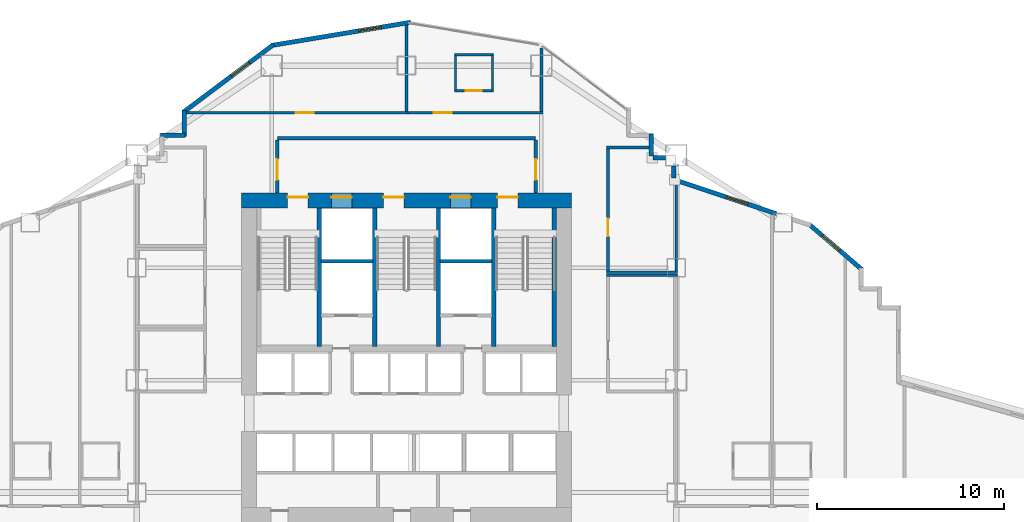
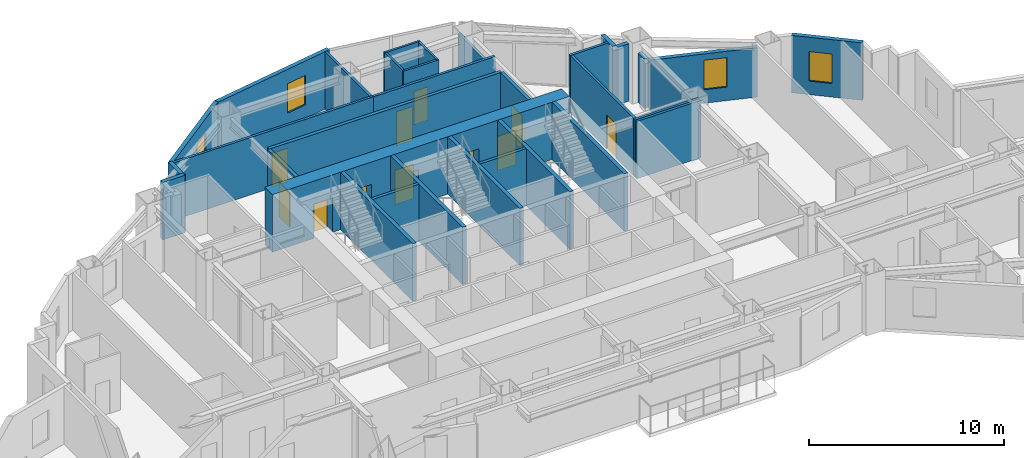
# One storey, part 11 of 15: 33 walls, 11 doors, 4 windows, 15 openings.
"""IFC4 building model written with IfcOpenShell, lengths in metres."""

from ifc_helpers import new_model, si_unit, direction, frame, frame_2d, origin, place, context, subcontext, project, spatial, rectangle, extrude, material, layer, layer_set, type_object, element, fill, save


model = new_model("IFC4")

# Units and contexts
model_context = context("Model", 3, precision=1e-05, world=origin(), true_north=direction((0.0, 1.0)))
body_context = subcontext(model_context, "Body", "Model", "MODEL_VIEW")
ifc_project = project(units=[si_unit("LENGTHUNIT", "METRE"), si_unit("AREAUNIT", "SQUARE_METRE"), si_unit("VOLUMEUNIT", "CUBIC_METRE"), si_unit("PLANEANGLEUNIT", "RADIAN"), si_unit("MASSUNIT", "GRAM", prefix="KILO")], contexts=[model_context])

# Site, building, storey
site_placement = place(None, origin())
site = spatial("IfcSite", under=ifc_project, at=site_placement, CompositionType="ELEMENT")
building_placement = place(site_placement, origin())
building = spatial("IfcBuilding", under=site, at=building_placement, Name="Haolan Belvedere Tower", CompositionType="ELEMENT")
storey_placement = place(building_placement, frame((0.0, 0.0, 70.39990234375)))
storey = spatial("IfcBuildingStorey", under=building, at=storey_placement, Name="L17", CompositionType="ELEMENT", Elevation=70.39990234375)

# Wall, openings, doors
ifc_material_1 = material(Name="Concrete C70/85", Category="concrete")
ifc_layer_1 = layer(ifc_material_1, 0.800048828125, Name="Concrete C70/85")
ifc_layer_set_1 = layer_set([ifc_layer_1], Name="Concrete C70/85")
wall_type_1 = type_object("IfcWallType", Name="WL-CORE-800", PredefinedType="SHEAR", material=ifc_layer_set_1)
wall_1_placement = place(storey_placement, frame((29.60009765625, 43.199951171875, 0.0), z_axis=(0.0, 0.0, 1.0), x_axis=(1.0, 0.0, 0.0)))
wall_1 = element("IfcWall", 1, at=wall_1_placement, inside=storey, type_object=wall_type_1, Name="L17 central core north shear wall", PredefinedType="SHEAR", context=body_context, shape_type="SweptSolid", body=[
    extrude(rectangle(XDim=17.599853515625, YDim=0.800048828125, at=frame_2d((8.7998046875, 0.0))), origin(), (0.0, 0.0, 1.0), 3.60009765625),
])
opening_1_placement = place(wall_1_placement, frame((2.449951171875, 0.0, 0.0)))
opening_1 = element("IfcOpeningElement", 2, at=opening_1_placement, cuts=wall_1, Name="Opening FD-03", PredefinedType="OPENING", context=body_context, shape_type="SweptSolid", body=[
    extrude(rectangle(XDim=1.10009765625, YDim=2.14990234375, at=frame_2d((0.550048828125, 1.074951171875))), frame((0.0, 0.409912109375, 0.0), z_axis=(0.0, -1.0, 0.0), x_axis=(1.0, 0.0, 0.0)), (0.0, 0.0, 1.0), 0.820068359375),
])
opening_2_placement = place(wall_1_placement, frame((7.56005859375, 0.0, 0.0)))
opening_2 = element("IfcOpeningElement", 3, at=opening_2_placement, cuts=wall_1, Name="Opening FD-03", PredefinedType="OPENING", context=body_context, shape_type="SweptSolid", body=[
    extrude(rectangle(XDim=1.10009765625, YDim=2.14990234375, at=frame_2d((0.550048828125, 1.074951171875))), frame((0.0, 0.409912109375, 0.0), z_axis=(0.0, -1.0, 0.0), x_axis=(1.0, 0.0, 0.0)), (0.0, 0.0, 1.0), 0.820068359375),
])
opening_3_placement = place(wall_1_placement, frame((13.64990234375, 0.0, 0.0)))
opening_3 = element("IfcOpeningElement", 4, at=opening_3_placement, cuts=wall_1, Name="Opening FD-03", PredefinedType="OPENING", context=body_context, shape_type="SweptSolid", body=[
    extrude(rectangle(XDim=1.10009765625, YDim=2.14990234375, at=frame_2d((0.550048828125, 1.074951171875))), frame((0.0, 0.409912109375, 0.0), z_axis=(0.0, -1.0, 0.0), x_axis=(1.0, 0.0, 0.0)), (0.0, 0.0, 1.0), 0.820068359375),
])
opening_4_placement = place(wall_1_placement, frame((4.780029296875, 0.0, 0.0)))
opening_4 = element("IfcOpeningElement", 5, at=opening_4_placement, cuts=wall_1, Name="Opening LD-01", PredefinedType="OPENING", context=body_context, shape_type="SweptSolid", body=[
    extrude(rectangle(XDim=1.10009765625, YDim=2.199951171875, at=frame_2d((0.550048828125, 1.10009765625))), frame((0.0, 0.409912109375, 0.0), z_axis=(0.0, -1.0, 0.0), x_axis=(1.0, 0.0, 0.0)), (0.0, 0.0, 1.0), 0.820068359375),
])
opening_5_placement = place(wall_1_placement, frame((11.139892578125, 0.0, 0.0)))
opening_5 = element("IfcOpeningElement", 6, at=opening_5_placement, cuts=wall_1, Name="Opening LD-01", PredefinedType="OPENING", context=body_context, shape_type="SweptSolid", body=[
    extrude(rectangle(XDim=1.10009765625, YDim=2.199951171875, at=frame_2d((0.550048828125, 1.10009765625))), frame((0.0, 0.409912109375, 0.0), z_axis=(0.0, -1.0, 0.0), x_axis=(1.0, 0.0, 0.0)), (0.0, 0.0, 1.0), 0.820068359375),
])
ifc_material_2 = material(Name="Galvanised fire-rated steel", Category="steel")
door_type_1 = type_object("IfcDoorType", Name="DR-FD90-1100", OperationType="NOTDEFINED", PredefinedType="DOOR", material=ifc_material_2)
door_1_placement = place(opening_1_placement, origin())
door_1 = element("IfcDoor", 7, at=door_1_placement, inside=storey, type_object=door_type_1, Name="L17 door CD-L17-ST1", OperationType="SINGLE_SWING_LEFT", OverallHeight=2.14990234375, OverallWidth=1.10009765625, PredefinedType="DOOR", context=body_context, shape_type="SweptSolid", body=[
    extrude(rectangle(XDim=1.10009765625, YDim=2.14990234375, at=frame_2d((0.550048828125, 1.074951171875))), frame((0.0, 0.18505859375, 0.0), z_axis=(0.0, -1.0, 0.0), x_axis=(1.0, 0.0, 0.0)), (0.0, 0.0, 1.0), 0.050048828125),
])
fill(opening_1, door_1)
door_2_placement = place(opening_2_placement, origin())
door_2 = element("IfcDoor", 8, at=door_2_placement, inside=storey, type_object=door_type_1, Name="L17 door CD-L17-ST3", OperationType="SINGLE_SWING_LEFT", OverallHeight=2.14990234375, OverallWidth=1.10009765625, PredefinedType="DOOR", context=body_context, shape_type="SweptSolid", body=[
    extrude(rectangle(XDim=1.10009765625, YDim=2.14990234375, at=frame_2d((0.550048828125, 1.074951171875))), frame((0.0, 0.18505859375, 0.0), z_axis=(0.0, -1.0, 0.0), x_axis=(1.0, 0.0, 0.0)), (0.0, 0.0, 1.0), 0.050048828125),
])
fill(opening_2, door_2)
door_3_placement = place(opening_3_placement, origin())
door_3 = element("IfcDoor", 9, at=door_3_placement, inside=storey, type_object=door_type_1, Name="L17 door CD-L17-ST2", OperationType="SINGLE_SWING_RIGHT", OverallHeight=2.14990234375, OverallWidth=1.10009765625, PredefinedType="DOOR", context=body_context, shape_type="SweptSolid", body=[
    extrude(rectangle(XDim=1.10009765625, YDim=2.14990234375, at=frame_2d((0.550048828125, 1.074951171875))), frame((0.0, 0.18505859375, 0.0), z_axis=(0.0, -1.0, 0.0), x_axis=(1.0, 0.0, 0.0)), (0.0, 0.0, 1.0), 0.050048828125),
])
fill(opening_3, door_3)
ifc_material_3 = material(Name="Brushed champagne stainless steel 316L", Category="steel")
door_type_2 = type_object("IfcDoorType", Name="DR-LIFT-1100", OperationType="SLIDING_TO_LEFT", PredefinedType="DOOR", material=ifc_material_3)
door_4_placement = place(opening_4_placement, origin())
door_4 = element("IfcDoor", 10, at=door_4_placement, inside=storey, type_object=door_type_2, Name="L17 door LD-L17-FF1", OperationType="SLIDING_TO_LEFT", OverallHeight=2.199951171875, OverallWidth=1.10009765625, PredefinedType="DOOR", context=body_context, shape_type="SweptSolid", body=[
    extrude(rectangle(XDim=1.10009765625, YDim=2.199951171875, at=frame_2d((0.550048828125, 1.10009765625))), frame((0.0, 0.18505859375, 0.0), z_axis=(0.0, -1.0, 0.0), x_axis=(1.0, 0.0, 0.0)), (0.0, 0.0, 1.0), 0.050048828125),
])
fill(opening_4, door_4)
door_5_placement = place(opening_5_placement, origin())
door_5 = element("IfcDoor", 11, at=door_5_placement, inside=storey, type_object=door_type_2, Name="L17 door LD-L17-FF2", OperationType="SLIDING_TO_LEFT", OverallHeight=2.199951171875, OverallWidth=1.10009765625, PredefinedType="DOOR", context=body_context, shape_type="SweptSolid", body=[
    extrude(rectangle(XDim=1.10009765625, YDim=2.199951171875, at=frame_2d((0.550048828125, 1.10009765625))), frame((0.0, 0.18505859375, 0.0), z_axis=(0.0, -1.0, 0.0), x_axis=(1.0, 0.0, 0.0)), (0.0, 0.0, 1.0), 0.050048828125),
])
fill(opening_5, door_5)

# Wall, opening, window
ifc_material_4 = material(Name="Precast concrete C40/50", Category="concrete")
ifc_layer_2 = layer(ifc_material_4, 0.239990234375, Name="Precast concrete C40/50")
ifc_layer_set_2 = layer_set([ifc_layer_2], Name="Precast concrete C40/50")
wall_type_2 = type_object("IfcWallType", Name="WL-EXT-240", PredefinedType="SOLIDWALL", material=ifc_layer_set_2)
wall_2_placement = place(storey_placement, frame((62.7216796875, 39.509033203125, 0.0), z_axis=(0.0, 0.0, 1.0), x_axis=(-0.759247334792, 0.650802185469, 0.0)))
wall_2 = element("IfcWall", 12, at=wall_2_placement, inside=storey, type_object=wall_type_2, Name="L17 pale-metal exterior spandrel wall 34.1", PredefinedType="SOLIDWALL", context=body_context, shape_type="SweptSolid", body=[
    extrude(rectangle(XDim=3.71923828125, YDim=0.239990234375, at=frame_2d((1.859619140625, 0.0))), origin(), (0.0, 0.0, 1.0), 3.60009765625),
])
opening_6_placement = place(wall_2_placement, frame((1.60009765625, 0.0, 0.85009765625)))
opening_6 = element("IfcOpeningElement", 13, at=opening_6_placement, cuts=wall_2, Name="Opening W-01", PredefinedType="OPENING", context=body_context, shape_type="SweptSolid", body=[
    extrude(rectangle(XDim=1.199951171875, YDim=1.85009765625, at=frame_2d((0.60009765625, 0.925048828125))), frame((0.0, 0.1298828125, 0.0), z_axis=(0.0, -1.0, 0.0), x_axis=(1.0, 0.0, 0.0)), (0.0, 0.0, 1.0), 0.260009765625),
])
ifc_material_5 = material(Name="Anodised aluminium 6063-T6 and Low-E glass", Category="aluminium")
window_type = type_object("IfcWindowType", Name="WN-DECO-Z1", PartitioningType="SINGLE_PANEL", PredefinedType="WINDOW", material=ifc_material_5)
window_1_placement = place(opening_6_placement, origin())
window_1 = element("IfcWindow", 14, at=window_1_placement, inside=storey, type_object=window_type, Name="L17 Art Deco chevron window 1", OverallHeight=1.85009765625, OverallWidth=1.199951171875, PartitioningType="SINGLE_PANEL", PredefinedType="WINDOW", context=body_context, shape_type="SweptSolid", body=[
    extrude(rectangle(XDim=1.199951171875, YDim=1.85009765625, at=frame_2d((0.60009765625, 0.925048828125))), frame((0.0, 0.030029296875, 0.0), z_axis=(0.0, -1.0, 0.0), x_axis=(1.0, 0.0, 0.0)), (0.0, 0.0, 1.0), 0.06005859375),
])
fill(opening_6, window_1)

wall_3_placement = place(storey_placement, frame((58.14453125, 42.491943359375, 0.0), z_axis=(0.0, 0.0, 1.0), x_axis=(-0.948683298051, 0.316227766017, 0.0)))
wall_3 = element("IfcWall", 15, at=wall_3_placement, inside=storey, type_object=wall_type_2, Name="L17 pale-metal exterior spandrel wall 35.2", PredefinedType="SOLIDWALL", context=body_context, shape_type="SweptSolid", body=[
    extrude(rectangle(XDim=5.67529296875, YDim=0.239990234375, at=frame_2d((2.837646484375, 0.0))), origin(), (0.0, 0.0, 1.0), 3.09716796875),
])
opening_7_placement = place(wall_3_placement, frame((1.60009765625, 0.0, 0.85009765625)))
opening_7 = element("IfcOpeningElement", 16, at=opening_7_placement, cuts=wall_3, Name="Opening W-01", PredefinedType="OPENING", context=body_context, shape_type="SweptSolid", body=[
    extrude(rectangle(XDim=1.199951171875, YDim=1.85009765625, at=frame_2d((0.60009765625, 0.925048828125))), frame((0.0, 0.1298828125, 0.0), z_axis=(0.0, -1.0, 0.0), x_axis=(1.0, 0.0, 0.0)), (0.0, 0.0, 1.0), 0.260009765625),
])
window_2_placement = place(opening_7_placement, origin())
window_2 = element("IfcWindow", 17, at=window_2_placement, inside=storey, type_object=window_type, Name="L17 Art Deco chevron window 1", OverallHeight=1.85009765625, OverallWidth=1.199951171875, PartitioningType="SINGLE_PANEL", PredefinedType="WINDOW", context=body_context, shape_type="SweptSolid", body=[
    extrude(rectangle(XDim=1.199951171875, YDim=1.85009765625, at=frame_2d((0.60009765625, 0.925048828125))), frame((0.0, 0.030029296875, 0.0), z_axis=(0.0, -1.0, 0.0), x_axis=(1.0, 0.0, 0.0)), (0.0, 0.0, 1.0), 0.06005859375),
])
fill(opening_7, window_2)

# Walls
wall_4_placement = place(storey_placement, frame((52.679931640625, 44.3984375, 0.0), z_axis=(0.0, 0.0, 1.0), x_axis=(0.0, 1.0, 0.0)))
element("IfcWall", 18, at=wall_4_placement, inside=storey, type_object=wall_type_2, Name="L17 pale-metal exterior spandrel wall 36.1", PredefinedType="SOLIDWALL", context=body_context, shape_type="SweptSolid", body=[
    extrude(rectangle(XDim=0.634521484375, YDim=0.239990234375, at=frame_2d((0.3173828125, 0.0))), origin(), (0.0, 0.0, 1.0), 3.09716796875),
])
wall_5_placement = place(storey_placement, frame((52.23291015625, 45.47998046875, 0.0), z_axis=(0.0, 0.0, 1.0), x_axis=(-1.0, 0.0, 0.0)))
element("IfcWall", 19, at=wall_5_placement, inside=storey, type_object=wall_type_2, Name="L17 pale-metal exterior spandrel wall 37.1", PredefinedType="SOLIDWALL", context=body_context, shape_type="SweptSolid", body=[
    extrude(rectangle(XDim=0.66796875, YDim=0.239990234375, at=frame_2d((0.333984375, 0.0))), origin(), (0.0, 0.0, 1.0), 3.60009765625),
])
wall_6_placement = place(storey_placement, frame((51.47998046875, 45.56494140625, 0.0), z_axis=(0.0, 0.0, 1.0), x_axis=(0.0, 1.0, 0.0)))
element("IfcWall", 20, at=wall_6_placement, inside=storey, type_object=wall_type_2, Name="L17 pale-metal exterior spandrel wall 38.1", PredefinedType="SOLIDWALL", context=body_context, shape_type="SweptSolid", body=[
    extrude(rectangle(XDim=1.170166015625, YDim=0.239990234375, at=frame_2d((0.5849609375, 0.0))), origin(), (0.0, 0.0, 1.0), 3.60009765625),
])

# Wall, opening, window
wall_7_placement = place(storey_placement, frame((38.621826171875, 52.71533203125, 0.0), z_axis=(0.0, 0.0, 1.0), x_axis=(-0.98639129485, -0.164414760418, 0.0)))
wall_7 = element("IfcWall", 21, at=wall_7_placement, inside=storey, type_object=wall_type_2, Name="L17 pale-metal exterior spandrel wall 43.1", PredefinedType="SOLIDWALL", context=body_context, shape_type="SweptSolid", body=[
    extrude(rectangle(XDim=7.530029296875, YDim=0.239990234375, at=frame_2d((3.76513671875, 0.0))), origin(), (0.0, 0.0, 1.0), 3.60009765625),
])
opening_8_placement = place(wall_7_placement, frame((1.60009765625, 0.0, 0.85009765625)))
opening_8 = element("IfcOpeningElement", 22, at=opening_8_placement, cuts=wall_7, Name="Opening W-01", PredefinedType="OPENING", context=body_context, shape_type="SweptSolid", body=[
    extrude(rectangle(XDim=1.199951171875, YDim=1.85009765625, at=frame_2d((0.60009765625, 0.925048828125))), frame((0.0, 0.1298828125, 0.0), z_axis=(0.0, -1.0, 0.0), x_axis=(1.0, 0.0, 0.0)), (0.0, 0.0, 1.0), 0.260009765625),
])
window_3_placement = place(opening_8_placement, origin())
window_3 = element("IfcWindow", 23, at=window_3_placement, inside=storey, type_object=window_type, Name="L17 Art Deco chevron window 1", OverallHeight=1.85009765625, OverallWidth=1.199951171875, PartitioningType="SINGLE_PANEL", PredefinedType="WINDOW", context=body_context, shape_type="SweptSolid", body=[
    extrude(rectangle(XDim=1.199951171875, YDim=1.85009765625, at=frame_2d((0.60009765625, 0.925048828125))), frame((0.0, 0.030029296875, 0.0), z_axis=(0.0, -1.0, 0.0), x_axis=(1.0, 0.0, 0.0)), (0.0, 0.0, 1.0), 0.06005859375),
])
fill(opening_8, window_3)

wall_8_placement = place(storey_placement, frame((31.29248046875, 51.519287109375, 0.0), z_axis=(0.0, 0.0, 1.0), x_axis=(-0.8, -0.6, 0.0)))
wall_8 = element("IfcWall", 24, at=wall_8_placement, inside=storey, type_object=wall_type_2, Name="L17 pale-metal exterior spandrel wall 44.1", PredefinedType="SOLIDWALL", context=body_context, shape_type="SweptSolid", body=[
    extrude(rectangle(XDim=6.0205078125, YDim=0.239990234375, at=frame_2d((3.01025390625, 0.0))), origin(), (0.0, 0.0, 1.0), 3.60009765625),
])
opening_9_placement = place(wall_8_placement, frame((1.60009765625, 0.0, 0.85009765625)))
opening_9 = element("IfcOpeningElement", 25, at=opening_9_placement, cuts=wall_8, Name="Opening W-01", PredefinedType="OPENING", context=body_context, shape_type="SweptSolid", body=[
    extrude(rectangle(XDim=1.199951171875, YDim=1.85009765625, at=frame_2d((0.60009765625, 0.925048828125))), frame((0.0, 0.1298828125, 0.0), z_axis=(0.0, -1.0, 0.0), x_axis=(1.0, 0.0, 0.0)), (0.0, 0.0, 1.0), 0.260009765625),
])
window_4_placement = place(opening_9_placement, origin())
window_4 = element("IfcWindow", 26, at=window_4_placement, inside=storey, type_object=window_type, Name="L17 Art Deco chevron window 1", OverallHeight=1.85009765625, OverallWidth=1.199951171875, PartitioningType="SINGLE_PANEL", PredefinedType="WINDOW", context=body_context, shape_type="SweptSolid", body=[
    extrude(rectangle(XDim=1.199951171875, YDim=1.85009765625, at=frame_2d((0.60009765625, 0.925048828125))), frame((0.0, 0.030029296875, 0.0), z_axis=(0.0, -1.0, 0.0), x_axis=(1.0, 0.0, 0.0)), (0.0, 0.0, 1.0), 0.06005859375),
])
fill(opening_9, window_4)

# Walls
wall_9_placement = place(storey_placement, frame((26.52001953125, 47.9951171875, 0.0), z_axis=(0.0, 0.0, 1.0), x_axis=(0.0, -1.0, 0.0)))
element("IfcWall", 27, at=wall_9_placement, inside=storey, type_object=wall_type_2, Name="L17 pale-metal exterior spandrel wall 45.1", PredefinedType="SOLIDWALL", context=body_context, shape_type="SweptSolid", body=[
    extrude(rectangle(XDim=1.3701171875, YDim=0.239990234375, at=frame_2d((0.68505859375, 0.0))), origin(), (0.0, 0.0, 1.0), 3.60009765625),
])
wall_10_placement = place(storey_placement, frame((26.574951171875, 46.679931640625, 0.0), z_axis=(0.0, 0.0, 1.0), x_axis=(-1.0, 0.0, 0.0)))
element("IfcWall", 28, at=wall_10_placement, inside=storey, type_object=wall_type_2, Name="L17 pale-metal exterior spandrel wall 46.1", PredefinedType="SOLIDWALL", context=body_context, shape_type="SweptSolid", body=[
    extrude(rectangle(XDim=1.31005859375, YDim=0.239990234375, at=frame_2d((0.655029296875, 0.0))), origin(), (0.0, 0.0, 1.0), 3.60009765625),
])
ifc_material_6 = material(Name="Concrete C40/50", Category="concrete")
ifc_layer_3 = layer(ifc_material_6, 0.199951171875, Name="Concrete C40/50")
ifc_layer_set_3 = layer_set([ifc_layer_3], Name="Concrete C40/50")
wall_type_3 = type_object("IfcWallType", Name="WL-FIRE-200", PredefinedType="SOLIDWALL", material=ifc_layer_set_3)
wall_11_placement = place(storey_placement, frame((31.5, 46.52001953125, 0.0), z_axis=(0.0, 0.0, 1.0), x_axis=(1.0, 0.0, 0.0)))
element("IfcWall", 29, at=wall_11_placement, inside=storey, type_object=wall_type_3, Name="L17 interior partition IW-L17-FFL-N", PredefinedType="SOLIDWALL", context=body_context, shape_type="SweptSolid", body=[
    extrude(rectangle(XDim=13.800048828125, YDim=0.199951171875, at=frame_2d((6.89990234375, 0.0))), origin(), (0.0, 0.0, 1.0), 3.60009765625),
])

# Wall, opening, door
wall_12_placement = place(storey_placement, frame((31.5, 43.60009765625, 0.0), z_axis=(0.0, 0.0, 1.0), x_axis=(0.0, 1.0, 0.0)))
wall_12 = element("IfcWall", 30, at=wall_12_placement, inside=storey, type_object=wall_type_3, Name="L17 interior partition IW-L17-FFL-W", PredefinedType="SOLIDWALL", context=body_context, shape_type="SweptSolid", body=[
    extrude(rectangle(XDim=2.8349609375, YDim=0.199951171875, at=frame_2d((1.41748046875, 0.0))), origin(), (0.0, 0.0, 1.0), 3.60009765625),
])
opening_10_placement = place(wall_12_placement, frame((1.800048828125, 0.0, 0.0), z_axis=(0.0, 0.0, 1.0), x_axis=(-1.0, 0.0, 0.0)))
opening_10 = element("IfcOpeningElement", 31, at=opening_10_placement, cuts=wall_12, Name="Opening FD-03", PredefinedType="OPENING", context=body_context, shape_type="SweptSolid", body=[
    extrude(rectangle(XDim=1.10009765625, YDim=2.14990234375, at=frame_2d((0.550048828125, 1.074951171875))), frame((0.0, 0.10986328125, 0.0), z_axis=(0.0, -1.0, 0.0), x_axis=(1.0, 0.0, 0.0)), (0.0, 0.0, 1.0), 0.219970703125),
])
door_6_placement = place(opening_10_placement, origin())
door_6 = element("IfcDoor", 32, at=door_6_placement, inside=storey, type_object=door_type_1, Name="L17 door ID-L17-FFL-DW", OperationType="SINGLE_SWING_LEFT", OverallHeight=2.14990234375, OverallWidth=1.10009765625, PredefinedType="DOOR", context=body_context, shape_type="SweptSolid", body=[
    extrude(rectangle(XDim=1.10009765625, YDim=2.14990234375, at=frame_2d((0.550048828125, 1.074951171875))), frame((0.0, 0.02490234375, 0.0), z_axis=(0.0, -1.0, 0.0), x_axis=(1.0, 0.0, 0.0)), (0.0, 0.0, 1.0), 0.050048828125),
])
fill(opening_10, door_6)

wall_13_placement = place(storey_placement, frame((45.300048828125, 43.60009765625, 0.0), z_axis=(0.0, 0.0, 1.0), x_axis=(0.0, 1.0, 0.0)))
wall_13 = element("IfcWall", 33, at=wall_13_placement, inside=storey, type_object=wall_type_3, Name="L17 interior partition IW-L17-FFL-E", PredefinedType="SOLIDWALL", context=body_context, shape_type="SweptSolid", body=[
    extrude(rectangle(XDim=2.8349609375, YDim=0.199951171875, at=frame_2d((1.41748046875, 0.0))), origin(), (0.0, 0.0, 1.0), 3.60009765625),
])
opening_11_placement = place(wall_13_placement, frame((0.699951171875, 0.0, 0.0)))
opening_11 = element("IfcOpeningElement", 34, at=opening_11_placement, cuts=wall_13, Name="Opening FD-03", PredefinedType="OPENING", context=body_context, shape_type="SweptSolid", body=[
    extrude(rectangle(XDim=1.10009765625, YDim=2.14990234375, at=frame_2d((0.550048828125, 1.074951171875))), frame((0.0, 0.10986328125, 0.0), z_axis=(0.0, -1.0, 0.0), x_axis=(1.0, 0.0, 0.0)), (0.0, 0.0, 1.0), 0.219970703125),
])
door_7_placement = place(opening_11_placement, origin())
door_7 = element("IfcDoor", 35, at=door_7_placement, inside=storey, type_object=door_type_1, Name="L17 door ID-L17-FFL-DE", OperationType="SINGLE_SWING_RIGHT", OverallHeight=2.14990234375, OverallWidth=1.10009765625, PredefinedType="DOOR", context=body_context, shape_type="SweptSolid", body=[
    extrude(rectangle(XDim=1.10009765625, YDim=2.14990234375, at=frame_2d((0.550048828125, 1.074951171875))), frame((0.0, 0.02490234375, 0.0), z_axis=(0.0, -1.0, 0.0), x_axis=(1.0, 0.0, 0.0)), (0.0, 0.0, 1.0), 0.050048828125),
])
fill(opening_11, door_7)

# Walls
ifc_material_7 = material(Name="Double gypsum acoustic stud partition", Category="masonry")
ifc_layer_4 = layer(ifc_material_7, 0.14990234375, Name="Double gypsum acoustic stud partition")
ifc_layer_set_4 = layer_set([ifc_layer_4], Name="Double gypsum acoustic stud partition")
wall_type_4 = type_object("IfcWallType", Name="WL-PART-150", PredefinedType="PARTITIONING", material=ifc_layer_set_4)
wall_14_placement = place(storey_placement, frame((49.080078125, 39.199951171875, 0.0), z_axis=(0.0, 0.0, 1.0), x_axis=(1.0, 0.0, 0.0)))
element("IfcWall", 36, at=wall_14_placement, inside=storey, type_object=wall_type_4, Name="L17 interior partition IW-L17-HSK-N", PredefinedType="PARTITIONING", context=body_context, shape_type="SweptSolid", body=[
    extrude(rectangle(XDim=3.7998046875, YDim=0.14990234375, at=frame_2d((1.89990234375, 0.0))), origin(), (0.0, 0.0, 1.0), 3.60009765625),
])
wall_15_placement = place(storey_placement, frame((49.080078125, 46.02001953125, 0.0), z_axis=(0.0, 0.0, 1.0), x_axis=(1.0, 0.0, 0.0)))
element("IfcWall", 37, at=wall_15_placement, inside=storey, type_object=wall_type_4, Name="L17 interior partition IW-L17-MTG-N", PredefinedType="PARTITIONING", context=body_context, shape_type="SweptSolid", body=[
    extrude(rectangle(XDim=2.294921875, YDim=0.14990234375, at=frame_2d((1.1474609375, 0.0))), origin(), (0.0, 0.0, 1.0), 3.60009765625),
])
wall_16_placement = place(storey_placement, frame((49.080078125, 39.360107421875, 0.0), z_axis=(0.0, 0.0, 1.0), x_axis=(1.0, 0.0, 0.0)))
element("IfcWall", 38, at=wall_16_placement, inside=storey, type_object=wall_type_4, Name="L17 interior partition IW-L17-MTG-S", PredefinedType="PARTITIONING", context=body_context, shape_type="SweptSolid", body=[
    extrude(rectangle(XDim=3.7998046875, YDim=0.14990234375, at=frame_2d((1.89990234375, 0.0))), origin(), (0.0, 0.0, 1.0), 3.60009765625),
])

# Wall, opening, door
wall_17_placement = place(storey_placement, frame((49.159912109375, 39.419921875, 0.0), z_axis=(0.0, 0.0, 1.0), x_axis=(0.0, 1.0, 0.0)))
wall_17 = element("IfcWall", 39, at=wall_17_placement, inside=storey, type_object=wall_type_4, Name="L17 interior partition IW-L17-MTG-W", PredefinedType="PARTITIONING", context=body_context, shape_type="SweptSolid", body=[
    extrude(rectangle(XDim=6.5400390625, YDim=0.14990234375, at=frame_2d((3.27001953125, 0.0))), origin(), (0.0, 0.0, 1.0), 3.60009765625),
])
opening_12_placement = place(wall_17_placement, frame((1.860107421875, 0.0, 0.0)))
opening_12 = element("IfcOpeningElement", 40, at=opening_12_placement, cuts=wall_17, Name="Opening ID-03", PredefinedType="OPENING", context=body_context, shape_type="SweptSolid", body=[
    extrude(rectangle(XDim=0.949951171875, YDim=2.1201171875, at=frame_2d((0.47509765625, 1.06005859375))), frame((0.0, 0.0849609375, 0.0), z_axis=(0.0, -1.0, 0.0), x_axis=(1.0, 0.0, 0.0)), (0.0, 0.0, 1.0), 0.169921875),
])
ifc_material_8 = material(Name="Painted solid-core timber", Category="wood")
door_type_3 = type_object("IfcDoorType", Name="DR-INT-950", OperationType="NOTDEFINED", PredefinedType="DOOR", material=ifc_material_8)
door_8_placement = place(opening_12_placement, origin())
door_8 = element("IfcDoor", 41, at=door_8_placement, inside=storey, type_object=door_type_3, Name="L17 door ID-L17-MTG", OperationType="SINGLE_SWING_LEFT", OverallHeight=2.1201171875, OverallWidth=0.949951171875, PredefinedType="DOOR", context=body_context, shape_type="SweptSolid", body=[
    extrude(rectangle(XDim=0.949951171875, YDim=2.1201171875, at=frame_2d((0.47509765625, 1.06005859375))), frame((0.0, 0.02490234375, 0.0), z_axis=(0.0, -1.0, 0.0), x_axis=(1.0, 0.0, 0.0)), (0.0, 0.0, 1.0), 0.050048828125),
])
fill(opening_12, door_8)

# Wall
wall_18_placement = place(storey_placement, frame((52.800048828125, 39.419921875, 0.0), z_axis=(0.0, 0.0, 1.0), x_axis=(0.0, 1.0, 0.0)))
element("IfcWall", 42, at=wall_18_placement, inside=storey, type_object=wall_type_4, Name="L17 interior partition IW-L17-MTG-E", PredefinedType="PARTITIONING", context=body_context, shape_type="SweptSolid", body=[
    extrude(rectangle(XDim=4.742919921875, YDim=0.14990234375, at=frame_2d((2.37158203125, 0.0))), origin(), (0.0, 0.0, 1.0), 3.09716796875),
])

# Wall, opening, door
wall_19_placement = place(storey_placement, frame((26.625, 47.8798828125, 0.0), z_axis=(0.0, 0.0, 1.0), x_axis=(1.0, 0.0, 0.0)))
wall_19 = element("IfcWall", 43, at=wall_19_placement, inside=storey, type_object=wall_type_4, Name="L17 interior partition IW-L17-KN1-S", PredefinedType="PARTITIONING", context=body_context, shape_type="SweptSolid", body=[
    extrude(rectangle(XDim=11.85498046875, YDim=0.14990234375, at=frame_2d((5.927490234375, 0.0))), origin(), (0.0, 0.0, 1.0), 3.60009765625),
])
opening_13_placement = place(wall_19_placement, frame((5.8701171875, 0.0, 0.0)))
opening_13 = element("IfcOpeningElement", 44, at=opening_13_placement, cuts=wall_19, Name="Opening ID-03", PredefinedType="OPENING", context=body_context, shape_type="SweptSolid", body=[
    extrude(rectangle(XDim=0.949951171875, YDim=2.1201171875, at=frame_2d((0.47509765625, 1.06005859375))), frame((0.0, 0.0849609375, 0.0), z_axis=(0.0, -1.0, 0.0), x_axis=(1.0, 0.0, 0.0)), (0.0, 0.0, 1.0), 0.169921875),
])
door_9_placement = place(opening_13_placement, origin())
door_9 = element("IfcDoor", 45, at=door_9_placement, inside=storey, type_object=door_type_3, Name="L17 door ID-L17-KN1", OperationType="SINGLE_SWING_RIGHT", OverallHeight=2.1201171875, OverallWidth=0.949951171875, PredefinedType="DOOR", context=body_context, shape_type="SweptSolid", body=[
    extrude(rectangle(XDim=0.949951171875, YDim=2.1201171875, at=frame_2d((0.47509765625, 1.06005859375))), frame((0.0, 0.02490234375, 0.0), z_axis=(0.0, -1.0, 0.0), x_axis=(1.0, 0.0, 0.0)), (0.0, 0.0, 1.0), 0.050048828125),
])
fill(opening_13, door_9)

# Wall
wall_20_placement = place(storey_placement, frame((38.39990234375, 47.93994140625, 0.0), z_axis=(0.0, 0.0, 1.0), x_axis=(0.0, 1.0, 0.0)))
element("IfcWall", 46, at=wall_20_placement, inside=storey, type_object=wall_type_4, Name="L17 interior partition IW-L17-KN1-E", PredefinedType="PARTITIONING", context=body_context, shape_type="SweptSolid", body=[
    extrude(rectangle(XDim=4.632080078125, YDim=0.14990234375, at=frame_2d((2.31591796875, 0.0))), origin(), (0.0, 0.0, 1.0), 3.60009765625),
])

# Wall, opening, door
wall_21_placement = place(storey_placement, frame((38.48193359375, 47.8798828125, 0.0), z_axis=(0.0, 0.0, 1.0), x_axis=(1.0, 0.0, 0.0)))
wall_21 = element("IfcWall", 47, at=wall_21_placement, inside=storey, type_object=wall_type_4, Name="L17 interior partition IW-L17-KN2-S", PredefinedType="PARTITIONING", context=body_context, shape_type="SweptSolid", body=[
    extrude(rectangle(XDim=7.218017578125, YDim=0.14990234375, at=frame_2d((3.60888671875, 0.0))), origin(), (0.0, 0.0, 1.0), 3.60009765625),
])
opening_14_placement = place(wall_21_placement, frame((1.384521484375, 0.0, 0.0)))
opening_14 = element("IfcOpeningElement", 48, at=opening_14_placement, cuts=wall_21, Name="Opening ID-02", PredefinedType="OPENING", context=body_context, shape_type="SweptSolid", body=[
    extrude(rectangle(XDim=0.949951171875, YDim=2.14990234375, at=frame_2d((0.47509765625, 1.074951171875))), frame((0.0, 0.0849609375, 0.0), z_axis=(0.0, -1.0, 0.0), x_axis=(1.0, 0.0, 0.0)), (0.0, 0.0, 1.0), 0.169921875),
])
ifc_material_9 = material(Name="Acoustic oak veneer fire-rated timber", Category="wood")
door_type_4 = type_object("IfcDoorType", Name="DR-GUEST-950", OperationType="NOTDEFINED", PredefinedType="DOOR", material=ifc_material_9)
door_10_placement = place(opening_14_placement, origin())
door_10 = element("IfcDoor", 49, at=door_10_placement, inside=storey, type_object=door_type_4, Name="L17 door ID-L17-KN2-ENT", OperationType="SINGLE_SWING_LEFT", OverallHeight=2.14990234375, OverallWidth=0.949951171875, PredefinedType="DOOR", context=body_context, shape_type="SweptSolid", body=[
    extrude(rectangle(XDim=0.949951171875, YDim=2.14990234375, at=frame_2d((0.47509765625, 1.074951171875))), frame((0.0, 0.02490234375, 0.0), z_axis=(0.0, -1.0, 0.0), x_axis=(1.0, 0.0, 0.0)), (0.0, 0.0, 1.0), 0.050048828125),
])
fill(opening_14, door_10)

# Walls
wall_22_placement = place(storey_placement, frame((45.60009765625, 47.93994140625, 0.0), z_axis=(0.0, 0.0, 1.0), x_axis=(0.0, 1.0, 0.0)))
element("IfcWall", 50, at=wall_22_placement, inside=storey, type_object=wall_type_4, Name="L17 interior partition IW-L17-KN2-E", PredefinedType="PARTITIONING", context=body_context, shape_type="SweptSolid", body=[
    extrude(rectangle(XDim=3.39501953125, YDim=0.14990234375, at=frame_2d((1.697509765625, 0.0))), origin(), (0.0, 0.0, 1.0), 2.985107421875),
])
ifc_layer_5 = layer(ifc_material_4, 0.179931640625, Name="Precast concrete C40/50")
ifc_layer_set_5 = layer_set([ifc_layer_5], Name="Precast concrete C40/50")
wall_type_5 = type_object("IfcWallType", Name="WL-SHAFT-180", PredefinedType="SOLIDWALL", material=ifc_layer_set_5)
for number, where, z_axis, x_axis, name in (
    (51, (33.8349609375, 39.949951171875, 0.0), (0.0, 0.0, 1.0), (1.0, 0.0, 0.0), "L17 interior partition IW-L17-FF1-S"),
    (52, (40.195068359375, 39.949951171875, 0.0), (0.0, 0.0, 1.0), (1.0, 0.0, 0.0), "L17 interior partition IW-L17-FF2-S"),
):
    element("IfcWall", number, at=place(storey_placement, frame(where, z_axis=z_axis, x_axis=x_axis)), inside=storey, type_object=wall_type_5, Name=name, PredefinedType="SOLIDWALL", context=body_context, shape_type="SweptSolid", body=[
        extrude(rectangle(XDim=2.77001953125, YDim=0.179931640625, at=frame_2d((1.385009765625, 0.0))), origin(), (0.0, 0.0, 1.0), 3.60009765625),
    ])
ifc_material_10 = material(Name="Concrete C50/60", Category="concrete")
ifc_layer_6 = layer(ifc_material_10, 0.219970703125, Name="Concrete C50/60")
ifc_layer_set_6 = layer_set([ifc_layer_6], Name="Concrete C50/60")
wall_type_6 = type_object("IfcWallType", Name="WL-STAIR-220", PredefinedType="SHEAR", material=ifc_layer_set_6)
for number, where, z_axis, x_axis, name in (
    (53, (33.739990234375, 35.389892578125, 0.0), (0.0, 0.0, 1.0), (0.0, 1.0, 0.0), "L17 structural stair core wall ST1E"),
    (54, (36.699951171875, 35.389892578125, 0.0), (0.0, 0.0, 1.0), (0.0, 1.0, 0.0), "L17 structural stair core wall ST3W"),
    (55, (40.10009765625, 35.389892578125, 0.0), (0.0, 0.0, 1.0), (0.0, 1.0, 0.0), "L17 structural stair core wall ST3E"),
    (56, (43.06005859375, 35.389892578125, 0.0), (0.0, 0.0, 1.0), (0.0, 1.0, 0.0), "L17 structural stair core wall ST2W"),
    (57, (46.2880859375, 35.389892578125, 0.0), (0.0, 0.0, 1.0), (0.0, 1.0, 0.0), "L17 structural stair core wall ST2E"),
):
    element("IfcWall", number, at=place(storey_placement, frame(where, z_axis=z_axis, x_axis=x_axis)), inside=storey, type_object=wall_type_6, Name=name, PredefinedType="SHEAR", context=body_context, shape_type="SweptSolid", body=[
        extrude(rectangle(XDim=7.41015625, YDim=0.219970703125, at=frame_2d((3.705078125, 0.0))), origin(), (0.0, 0.0, 1.0), 3.60009765625),
    ])
ifc_material_11 = material(Name="Moisture-resistant gypsum tile partition", Category="masonry")
ifc_layer_7 = layer(ifc_material_11, 0.1201171875, Name="Moisture-resistant gypsum tile partition")
ifc_layer_set_7 = layer_set([ifc_layer_7], Name="Moisture-resistant gypsum tile partition")
wall_type_7 = type_object("IfcWallType", Name="WL-WET-120", PredefinedType="PARTITIONING", material=ifc_layer_set_7)
wall_23_placement = place(storey_placement, frame((40.949951171875, 50.97998046875, 0.0), z_axis=(0.0, 0.0, 1.0), x_axis=(1.0, 0.0, 0.0)))
element("IfcWall", 58, at=wall_23_placement, inside=storey, type_object=wall_type_7, Name="L17 interior partition IW-L17-KN2-BN", PredefinedType="PARTITIONING", context=body_context, shape_type="SweptSolid", body=[
    extrude(rectangle(XDim=2.10009765625, YDim=0.1201171875, at=frame_2d((1.050048828125, 0.0))), origin(), (0.0, 0.0, 1.0), 3.60009765625),
])

# Wall, opening, door
wall_24_placement = place(storey_placement, frame((40.949951171875, 49.06005859375, 0.0), z_axis=(0.0, 0.0, 1.0), x_axis=(1.0, 0.0, 0.0)))
wall_24 = element("IfcWall", 59, at=wall_24_placement, inside=storey, type_object=wall_type_7, Name="L17 interior partition IW-L17-KN2-BS", PredefinedType="PARTITIONING", context=body_context, shape_type="SweptSolid", body=[
    extrude(rectangle(XDim=2.10009765625, YDim=0.1201171875, at=frame_2d((1.050048828125, 0.0))), origin(), (0.0, 0.0, 1.0), 3.60009765625),
])
opening_15_placement = place(wall_24_placement, frame((0.625, 0.0, 0.0)))
opening_15 = element("IfcOpeningElement", 60, at=opening_15_placement, cuts=wall_24, Name="Opening ID-05", PredefinedType="OPENING", context=body_context, shape_type="SweptSolid", body=[
    extrude(rectangle(XDim=0.85009765625, YDim=2.10009765625, at=frame_2d((0.425048828125, 1.050048828125))), frame((0.0, 0.070068359375, 0.0), z_axis=(0.0, -1.0, 0.0), x_axis=(1.0, 0.0, 0.0)), (0.0, 0.0, 1.0), 0.14013671875),
])
ifc_material_12 = material(Name="Moisture-resistant lacquered timber", Category="wood")
door_type_5 = type_object("IfcDoorType", Name="DR-BATH-850", OperationType="NOTDEFINED", PredefinedType="DOOR", material=ifc_material_12)
door_11_placement = place(opening_15_placement, origin())
door_11 = element("IfcDoor", 61, at=door_11_placement, inside=storey, type_object=door_type_5, Name="L17 door ID-L17-KN2-BATH", OperationType="SINGLE_SWING_RIGHT", OverallHeight=2.10009765625, OverallWidth=0.85009765625, PredefinedType="DOOR", context=body_context, shape_type="SweptSolid", body=[
    extrude(rectangle(XDim=0.85009765625, YDim=2.10009765625, at=frame_2d((0.425048828125, 1.050048828125))), frame((0.0, 0.02490234375, 0.0), z_axis=(0.0, -1.0, 0.0), x_axis=(1.0, 0.0, 0.0)), (0.0, 0.0, 1.0), 0.050048828125),
])
fill(opening_15, door_11)

# Walls
for number, where, z_axis, x_axis, name in (
    (62, (41.010009765625, 49.10498046875, 0.0), (0.0, 0.0, 1.0), (0.0, 1.0, 0.0), "L17 interior partition IW-L17-KN2-BW"),
    (63, (42.989990234375, 49.10498046875, 0.0), (0.0, 0.0, 1.0), (0.0, 1.0, 0.0), "L17 interior partition IW-L17-KN2-BE"),
):
    element("IfcWall", number, at=place(storey_placement, frame(where, z_axis=z_axis, x_axis=x_axis)), inside=storey, type_object=wall_type_7, Name=name, PredefinedType="PARTITIONING", context=body_context, shape_type="SweptSolid", body=[
        extrude(rectangle(XDim=1.830078125, YDim=0.1201171875, at=frame_2d((0.9150390625, 0.0))), origin(), (0.0, 0.0, 1.0), 3.60009765625),
    ])

save(model, "model.ifc")
